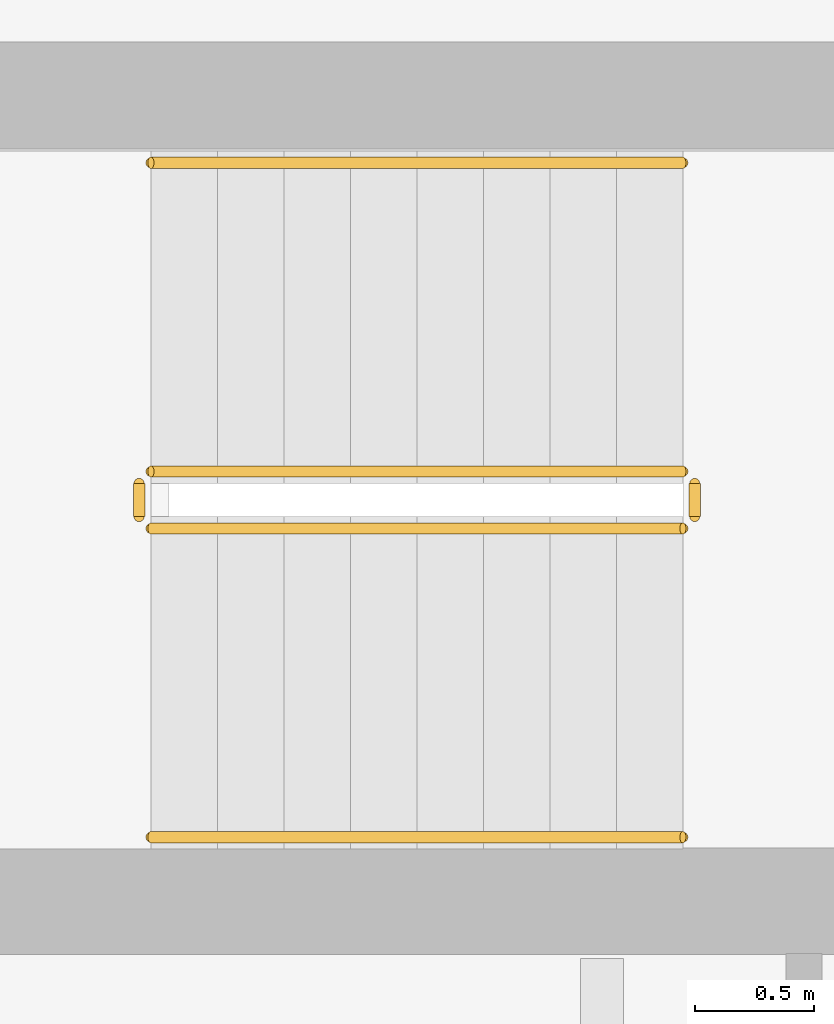
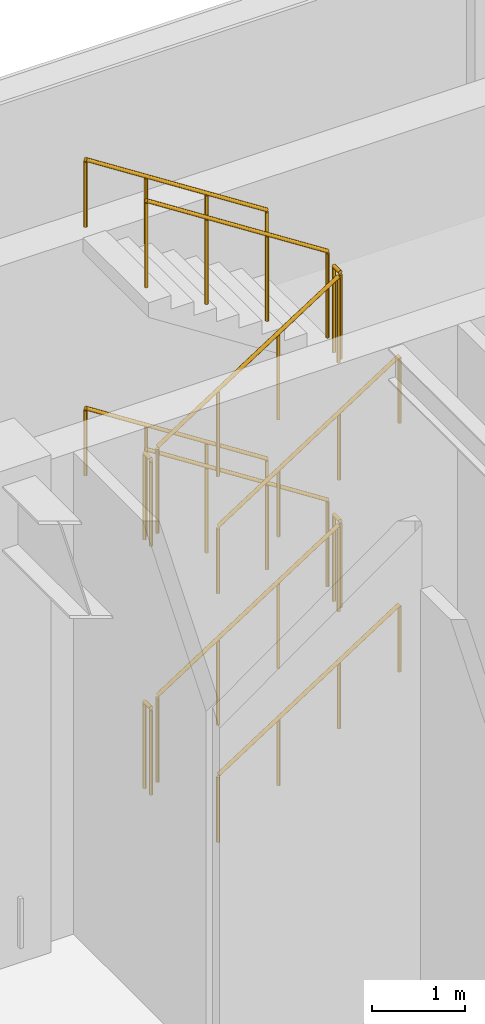
# One storey, part 10 of 11: 12 railings.
"""IFC4 building model written with IfcOpenShell, lengths in metres."""

from ifc_helpers import new_model, si_unit, direction, frame, origin, origin_2d, place, context, subcontext, project, spatial, circle, extrude, material, type_object, element, save


model = new_model("IFC4")

# Units and contexts
model_context = context("Model", 3, precision=1e-05, world=origin(), true_north=direction((0.0, 1.0)))
body_context = subcontext(model_context, "Body", "Model", "MODEL_VIEW")
ifc_project = project(units=[si_unit("LENGTHUNIT", "METRE"), si_unit("AREAUNIT", "SQUARE_METRE"), si_unit("VOLUMEUNIT", "CUBIC_METRE"), si_unit("PLANEANGLEUNIT", "RADIAN"), si_unit("MASSUNIT", "GRAM", prefix="KILO")], contexts=[model_context])

# Site, building, storey
site_placement = place(None, origin())
site = spatial("IfcSite", under=ifc_project, at=site_placement, CompositionType="ELEMENT")
building_placement = place(site_placement, origin())
building = spatial("IfcBuilding", under=site, at=building_placement, Name="Mirazonda Arch Towers", CompositionType="ELEMENT")
storey_placement = place(building_placement, frame((0.0, 0.0, 212.89990234375)))
storey = spatial("IfcBuildingStorey", under=building, at=storey_placement, Name="L61", CompositionType="ELEMENT", Elevation=212.89990234375)

# Railings
ifc_material = material(Name="Architectural Brushed Steel S355", Category="steel")
railing_type_1 = type_object("IfcRailingType", Name="GUARD-STAIR-1120", PredefinedType="GUARDRAIL", material=ifc_material)
railing_1_placement = place(storey_placement, frame((13.85009765625, 39.169921875, 0.1806640625)))
element("IfcRailing", 1, at=railing_1_placement, inside=storey, type_object=railing_type_1, Name="L61 ST-T1N stair guard 1", PredefinedType="GUARDRAIL", context=body_context, shape_type="SweptSolid", body=[
    extrude(circle(Radius=0.02392578125, at=origin_2d()), frame((0.0, 0.0, 1.1259765625), z_axis=(0.840436612492, 0.0, 0.541909863706), x_axis=(0.0, 1.0, 0.0)), (0.0, 0.0, 1.0), 2.665283203125),
    extrude(circle(Radius=0.02099609375, at=origin_2d()), origin(), (0.0, 0.0, 1.0), 1.101806640625),
    extrude(circle(Radius=0.02099609375, at=origin_2d()), frame((0.74658203125, 0.0, 0.4814453125)), (0.0, 0.0, 1.0), 1.101806640625),
    extrude(circle(Radius=0.02099609375, at=origin_2d()), frame((1.493408203125, 0.0, 0.962890625)), (0.0, 0.0, 1.0), 1.101806640625),
    extrude(circle(Radius=0.02099609375, at=origin_2d()), frame((2.239990234375, 0.0, 1.4443359375)), (0.0, 0.0, 1.0), 1.101806640625),
])
railing_2_placement = place(storey_placement, frame((16.139892578125, 39.219970703125, 1.625)))
element("IfcRailing", 2, at=railing_2_placement, inside=storey, type_object=railing_type_1, Name="L61 ST-T1N stair guard 2", PredefinedType="GUARDRAIL", context=body_context, shape_type="SweptSolid", body=[
    extrude(circle(Radius=0.02392578125, at=origin_2d()), frame((0.0, 0.0, 1.1259765625), z_axis=(0.0, 1.0, 0.0), x_axis=(-1.0, 0.0, 0.0)), (0.0, 0.0, 1.0), 0.14013671875),
    extrude(circle(Radius=0.02099609375, at=origin_2d()), origin(), (0.0, 0.0, 1.0), 1.101806640625),
    extrude(circle(Radius=0.02099609375, at=origin_2d()), frame((0.0, 0.14013671875, 0.0)), (0.0, 0.0, 1.0), 1.101806640625),
])
railing_3_placement = place(storey_placement, frame((16.090087890625, 39.409912109375, 1.8056640625)))
element("IfcRailing", 3, at=railing_3_placement, inside=storey, type_object=railing_type_1, Name="L61 ST-T1N stair guard 3", PredefinedType="GUARDRAIL", context=body_context, shape_type="SweptSolid", body=[
    extrude(circle(Radius=0.02392578125, at=origin_2d()), frame((0.0, 0.0, 1.1259765625), z_axis=(-0.840436612492, 0.0, 0.541909863706), x_axis=(0.0, -1.0, 0.0)), (0.0, 0.0, 1.0), 2.665283203125),
    extrude(circle(Radius=0.02099609375, at=origin_2d()), origin(), (0.0, 0.0, 1.0), 1.101806640625),
    extrude(circle(Radius=0.02099609375, at=origin_2d()), frame((-0.74658203125, 0.0, 0.4814453125)), (0.0, 0.0, 1.0), 1.101806640625),
    extrude(circle(Radius=0.02099609375, at=origin_2d()), frame((-1.493408203125, 0.0, 0.962890625)), (0.0, 0.0, 1.0), 1.101806640625),
    extrude(circle(Radius=0.02099609375, at=origin_2d()), frame((-2.239990234375, 0.0, 1.4443359375)), (0.0, 0.0, 1.0), 1.101806640625),
])
railing_4_placement = place(storey_placement, frame((13.800048828125, 39.219970703125, 3.25)))
element("IfcRailing", 4, at=railing_4_placement, inside=storey, type_object=railing_type_1, Name="L61 ST-T1N stair guard 4", PredefinedType="GUARDRAIL", context=body_context, shape_type="SweptSolid", body=[
    extrude(circle(Radius=0.02392578125, at=origin_2d()), frame((0.0, 0.0, 1.1259765625), z_axis=(0.0, 1.0, 0.0), x_axis=(-1.0, 0.0, 0.0)), (0.0, 0.0, 1.0), 0.14013671875),
    extrude(circle(Radius=0.02099609375, at=origin_2d()), origin(), (0.0, 0.0, 1.0), 1.101806640625),
    extrude(circle(Radius=0.02099609375, at=origin_2d()), frame((0.0, 0.14013671875, 0.0)), (0.0, 0.0, 1.0), 1.101806640625),
])
railing_5_placement = place(storey_placement, frame((13.85009765625, 39.169921875, 3.4306640625)))
element("IfcRailing", 5, at=railing_5_placement, inside=storey, type_object=railing_type_1, Name="L61 ST-T1N stair guard 5", PredefinedType="GUARDRAIL", context=body_context, shape_type="SweptSolid", body=[
    extrude(circle(Radius=0.02392578125, at=origin_2d()), frame((0.0, 0.0, 1.1259765625), z_axis=(0.840436612492, 0.0, 0.541909863706), x_axis=(0.0, 1.0, 0.0)), (0.0, 0.0, 1.0), 2.665283203125),
    extrude(circle(Radius=0.02099609375, at=origin_2d()), origin(), (0.0, 0.0, 1.0), 1.101806640625),
    extrude(circle(Radius=0.02099609375, at=origin_2d()), frame((0.74658203125, 0.0, 0.4814453125)), (0.0, 0.0, 1.0), 1.101806640625),
    extrude(circle(Radius=0.02099609375, at=origin_2d()), frame((1.493408203125, 0.0, 0.962890625)), (0.0, 0.0, 1.0), 1.101806640625),
    extrude(circle(Radius=0.02099609375, at=origin_2d()), frame((2.239990234375, 0.0, 1.4443359375)), (0.0, 0.0, 1.0), 1.101806640625),
])
railing_6_placement = place(storey_placement, frame((16.139892578125, 39.219970703125, 4.875)))
element("IfcRailing", 6, at=railing_6_placement, inside=storey, type_object=railing_type_1, Name="L61 ST-T1N stair guard 6", PredefinedType="GUARDRAIL", context=body_context, shape_type="SweptSolid", body=[
    extrude(circle(Radius=0.02392578125, at=origin_2d()), frame((0.0, 0.0, 1.1259765625), z_axis=(0.0, 1.0, 0.0), x_axis=(-1.0, 0.0, 0.0)), (0.0, 0.0, 1.0), 0.14013671875),
    extrude(circle(Radius=0.02099609375, at=origin_2d()), origin(), (0.0, 0.0, 1.0), 1.101806640625),
    extrude(circle(Radius=0.02099609375, at=origin_2d()), frame((0.0, 0.14013671875, 0.0)), (0.0, 0.0, 1.0), 1.101806640625),
])
railing_7_placement = place(storey_placement, frame((16.090087890625, 39.409912109375, 5.0556640625)))
element("IfcRailing", 7, at=railing_7_placement, inside=storey, type_object=railing_type_1, Name="L61 ST-T1N stair guard 7", PredefinedType="GUARDRAIL", context=body_context, shape_type="SweptSolid", body=[
    extrude(circle(Radius=0.02392578125, at=origin_2d()), frame((0.0, 0.0, 1.1259765625), z_axis=(-0.840436612492, 0.0, 0.541909863706), x_axis=(0.0, -1.0, 0.0)), (0.0, 0.0, 1.0), 2.665283203125),
    extrude(circle(Radius=0.02099609375, at=origin_2d()), origin(), (0.0, 0.0, 1.0), 1.101806640625),
    extrude(circle(Radius=0.02099609375, at=origin_2d()), frame((-0.74658203125, 0.0, 0.4814453125)), (0.0, 0.0, 1.0), 1.101806640625),
    extrude(circle(Radius=0.02099609375, at=origin_2d()), frame((-1.493408203125, 0.0, 0.962890625)), (0.0, 0.0, 1.0), 1.101806640625),
    extrude(circle(Radius=0.02099609375, at=origin_2d()), frame((-2.239990234375, 0.0, 1.4443359375)), (0.0, 0.0, 1.0), 1.101806640625),
])
railing_8_placement = place(storey_placement, frame((13.800048828125, 39.219970703125, 0.0)))
element("IfcRailing", 8, at=railing_8_placement, inside=storey, type_object=railing_type_1, Name="L61 ST-T1N stair guard 8", PredefinedType="GUARDRAIL", context=body_context, shape_type="SweptSolid", body=[
    extrude(circle(Radius=0.02392578125, at=origin_2d()), frame((0.0, 0.0, 1.1259765625), z_axis=(0.0, 1.0, 0.0), x_axis=(-1.0, 0.0, 0.0)), (0.0, 0.0, 1.0), 0.14013671875),
    extrude(circle(Radius=0.02099609375, at=origin_2d()), origin(), (0.0, 0.0, 1.0), 1.101806640625),
    extrude(circle(Radius=0.02099609375, at=origin_2d()), frame((0.0, 0.14013671875, 0.0)), (0.0, 0.0, 1.0), 1.101806640625),
])
railing_type_2 = type_object("IfcRailingType", Name="HANDRAIL-915", PredefinedType="HANDRAIL", material=ifc_material)
railing_9_placement = place(storey_placement, frame((13.85009765625, 37.8701171875, 0.1806640625)))
element("IfcRailing", 9, at=railing_9_placement, inside=storey, type_object=railing_type_2, Name="L61 ST-T1N stair handrail 1", PredefinedType="HANDRAIL", context=body_context, shape_type="SweptSolid", body=[
    extrude(circle(Radius=0.02392578125, at=origin_2d()), frame((0.0, 0.0, 0.8759765625), z_axis=(0.840436612492, 0.0, 0.541909863706), x_axis=(0.0, 1.0, 0.0)), (0.0, 0.0, 1.0), 2.665283203125),
    extrude(circle(Radius=0.02099609375, at=origin_2d()), origin(), (0.0, 0.0, 1.0), 0.851806640625),
    extrude(circle(Radius=0.02099609375, at=origin_2d()), frame((0.74658203125, 0.0, 0.4814453125)), (0.0, 0.0, 1.0), 0.851806640625),
    extrude(circle(Radius=0.02099609375, at=origin_2d()), frame((1.493408203125, 0.0, 0.962890625)), (0.0, 0.0, 1.0), 0.851806640625),
    extrude(circle(Radius=0.02099609375, at=origin_2d()), frame((2.239990234375, 0.0, 1.4443359375)), (0.0, 0.0, 1.0), 0.851806640625),
])
railing_10_placement = place(storey_placement, frame((16.090087890625, 40.7099609375, 1.8056640625)))
element("IfcRailing", 10, at=railing_10_placement, inside=storey, type_object=railing_type_2, Name="L61 ST-T1N stair handrail 2", PredefinedType="HANDRAIL", context=body_context, shape_type="SweptSolid", body=[
    extrude(circle(Radius=0.02392578125, at=origin_2d()), frame((0.0, 0.0, 0.8759765625), z_axis=(-0.840436612492, 0.0, 0.541909863706), x_axis=(0.0, -1.0, 0.0)), (0.0, 0.0, 1.0), 2.665283203125),
    extrude(circle(Radius=0.02099609375, at=origin_2d()), origin(), (0.0, 0.0, 1.0), 0.851806640625),
    extrude(circle(Radius=0.02099609375, at=origin_2d()), frame((-0.74658203125, 0.0, 0.4814453125)), (0.0, 0.0, 1.0), 0.851806640625),
    extrude(circle(Radius=0.02099609375, at=origin_2d()), frame((-1.493408203125, 0.0, 0.962890625)), (0.0, 0.0, 1.0), 0.851806640625),
    extrude(circle(Radius=0.02099609375, at=origin_2d()), frame((-2.239990234375, 0.0, 1.4443359375)), (0.0, 0.0, 1.0), 0.851806640625),
])
railing_11_placement = place(storey_placement, frame((13.85009765625, 37.8701171875, 3.4306640625)))
element("IfcRailing", 11, at=railing_11_placement, inside=storey, type_object=railing_type_2, Name="L61 ST-T1N stair handrail 3", PredefinedType="HANDRAIL", context=body_context, shape_type="SweptSolid", body=[
    extrude(circle(Radius=0.02392578125, at=origin_2d()), frame((0.0, 0.0, 0.8759765625), z_axis=(0.840436612492, 0.0, 0.541909863706), x_axis=(0.0, 1.0, 0.0)), (0.0, 0.0, 1.0), 2.665283203125),
    extrude(circle(Radius=0.02099609375, at=origin_2d()), origin(), (0.0, 0.0, 1.0), 0.851806640625),
    extrude(circle(Radius=0.02099609375, at=origin_2d()), frame((0.74658203125, 0.0, 0.4814453125)), (0.0, 0.0, 1.0), 0.851806640625),
    extrude(circle(Radius=0.02099609375, at=origin_2d()), frame((1.493408203125, 0.0, 0.962890625)), (0.0, 0.0, 1.0), 0.851806640625),
    extrude(circle(Radius=0.02099609375, at=origin_2d()), frame((2.239990234375, 0.0, 1.4443359375)), (0.0, 0.0, 1.0), 0.851806640625),
])
railing_12_placement = place(storey_placement, frame((16.090087890625, 40.7099609375, 5.0556640625)))
element("IfcRailing", 12, at=railing_12_placement, inside=storey, type_object=railing_type_2, Name="L61 ST-T1N stair handrail 4", PredefinedType="HANDRAIL", context=body_context, shape_type="SweptSolid", body=[
    extrude(circle(Radius=0.02392578125, at=origin_2d()), frame((0.0, 0.0, 0.8759765625), z_axis=(-0.840436612492, 0.0, 0.541909863706), x_axis=(0.0, -1.0, 0.0)), (0.0, 0.0, 1.0), 2.665283203125),
    extrude(circle(Radius=0.02099609375, at=origin_2d()), origin(), (0.0, 0.0, 1.0), 0.851806640625),
    extrude(circle(Radius=0.02099609375, at=origin_2d()), frame((-0.74658203125, 0.0, 0.4814453125)), (0.0, 0.0, 1.0), 0.851806640625),
    extrude(circle(Radius=0.02099609375, at=origin_2d()), frame((-1.493408203125, 0.0, 0.962890625)), (0.0, 0.0, 1.0), 0.851806640625),
    extrude(circle(Radius=0.02099609375, at=origin_2d()), frame((-2.239990234375, 0.0, 1.4443359375)), (0.0, 0.0, 1.0), 0.851806640625),
])

save(model, "model.ifc")
